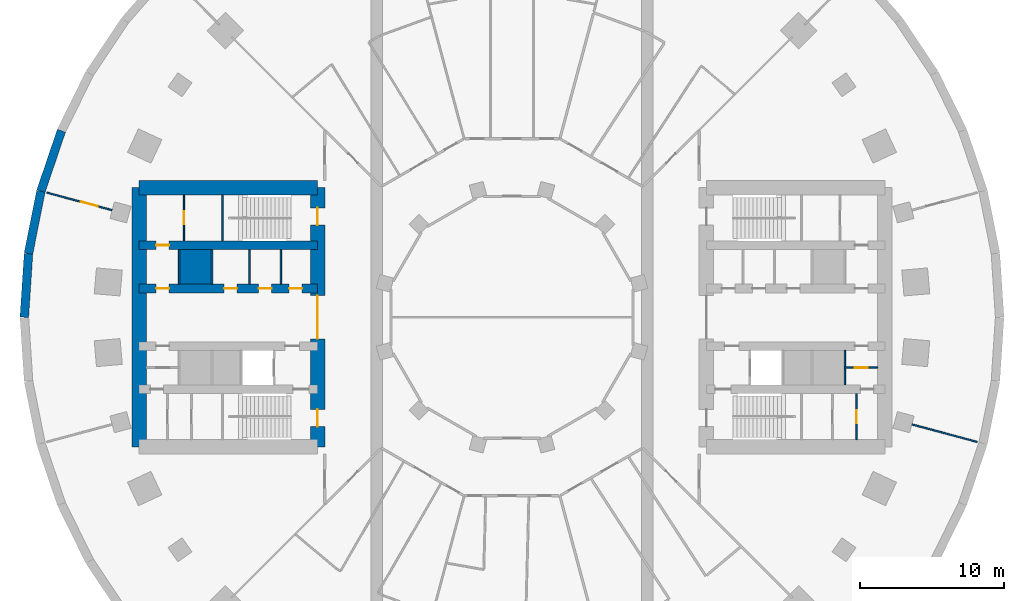
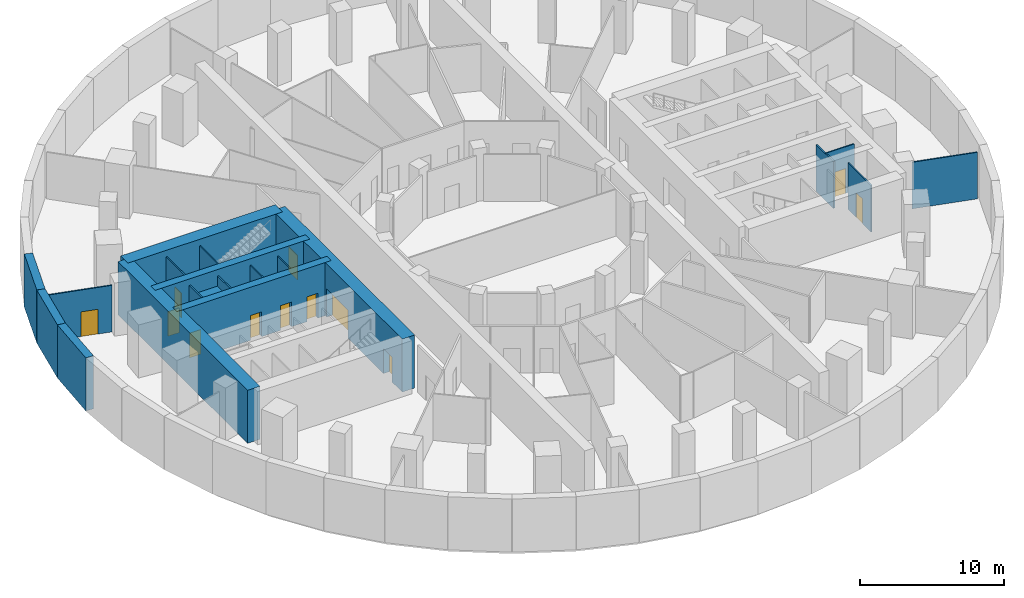
# One storey, part 4 of 8: 20 walls, 12 doors, 12 openings.
"""IFC4 building model written with IfcOpenShell, lengths in metres."""

import ifcopenshell
import ifcopenshell.guid

model = None  # the IFC model being written
_history = None  # IfcOwnerHistory: only IFC2X3 demands one
_inside = {}  # id of a spatial element -> (the spatial element, [elements in it])
_under = {}  # id of a project, library or spatial element -> (it, [spatial elements below it])
_declared = {}  # id of a project -> (the project, [libraries it declares])
_typed = {}  # id of a type object -> (the type object, [elements of that type])
_made_of = {}  # id of a material, layer set ... -> (it, [elements and type objects made of it])


def new_model(schema):
    """Start an empty IFC model of exactly this schema.

    Asked for "IFC4X3", IfcOpenShell would pick the latest addendum, in which some entities
    have other attributes; the version numbers below select the first issue.
    IFC2X3 requires an IfcOwnerHistory on every rooted entity: one is made here for all.
    """
    global model, _history
    if schema == "IFC4X3":
        model = ifcopenshell.file(schema_version=(4, 3, 0, 0))
    else:
        model = ifcopenshell.file(schema=schema)
    _inside.clear()
    _under.clear()
    _declared.clear()
    _typed.clear()
    _made_of.clear()
    _history = None
    if model.schema == "IFC2X3":
        org = make("IfcOrganization", Name="unknown")
        user = make(
            "IfcPersonAndOrganization",
            ThePerson=make("IfcPerson", FamilyName="unknown"),
            TheOrganization=org,
        )
        app = make(
            "IfcApplication",
            ApplicationDeveloper=org,
            Version="unknown",
            ApplicationFullName="unknown",
            ApplicationIdentifier="unknown",
        )
        _history = make(
            "IfcOwnerHistory",
            OwningUser=user,
            OwningApplication=app,
            ChangeAction="ADDED",
            CreationDate=0,
        )
    return model


def make(cls, **values):
    """One entity of the class cls with the attributes given. An attribute that is None is left unset."""
    return model.create_entity(
        cls, **{name: value for name, value in values.items() if value is not None}
    )


def rooted(cls, **values):
    """An entity with a GlobalId (a new one), such as an element, a storey or a relation."""
    return make(cls, GlobalId=ifcopenshell.guid.new(), OwnerHistory=_history, **values)


def si_unit(unit_type, name, prefix=None):
    """IfcSIUnit, for example si_unit("LENGTHUNIT", "METRE", prefix="MILLI")."""
    return make("IfcSIUnit", UnitType=unit_type, Prefix=prefix, Name=name)


def assignment(units):
    """IfcUnitAssignment: the units of a project."""
    return None if units is None else make("IfcUnitAssignment", Units=units)


def point(xyz):
    """IfcCartesianPoint."""
    return None if xyz is None else make("IfcCartesianPoint", Coordinates=xyz)


def direction(xyz):
    """IfcDirection."""
    return None if xyz is None else make("IfcDirection", DirectionRatios=xyz)


def frame(location, z_axis=None, x_axis=None):
    """IfcAxis2Placement3D, a coordinate frame: its origin and axes. An axis left out is left unset."""
    return make(
        "IfcAxis2Placement3D",
        Location=point(location),
        Axis=direction(z_axis),
        RefDirection=direction(x_axis),
    )


def frame_2d(location, x_axis=None):
    """IfcAxis2Placement2D, a coordinate frame in the plane: its origin and x axis."""
    return make(
        "IfcAxis2Placement2D", Location=point(location), RefDirection=direction(x_axis)
    )


def origin():
    """The frame at (0, 0, 0) with its axes left unset."""
    return frame((0.0, 0.0, 0.0))


def place(relative_to, where):
    """IfcLocalPlacement: puts the frame where relative to a parent placement (None: the world)."""
    return make(
        "IfcLocalPlacement", PlacementRelTo=relative_to, RelativePlacement=where
    )


def context(
    kind, dimensions, precision=None, world=None, true_north=None, identifier=None
):
    """IfcGeometricRepresentationContext, for example the 3D "Model" context."""
    return make(
        "IfcGeometricRepresentationContext",
        ContextIdentifier=identifier,
        ContextType=kind,
        CoordinateSpaceDimension=dimensions,
        Precision=precision,
        WorldCoordinateSystem=world,
        TrueNorth=true_north,
    )


def subcontext(parent, identifier, kind, view, scale=None):
    """IfcGeometricRepresentationSubContext, for example "Body" below "Model"."""
    return make(
        "IfcGeometricRepresentationSubContext",
        ContextIdentifier=identifier,
        ContextType=kind,
        ParentContext=parent,
        TargetScale=scale,
        TargetView=view,
    )


def project(units=None, contexts=None):
    """IfcProject with its units and contexts."""
    return rooted(
        "IfcProject",
        Name="project",
        RepresentationContexts=contexts,
        UnitsInContext=assignment(units),
    )


def spatial(cls, under=None, at=None, **own):
    """A site, building, storey or space (cls), placed at a placement, below another one or the project."""
    s = rooted(cls, ObjectPlacement=at, **own)
    if under is not None:
        _under.setdefault(under.id(), (under, []))[1].append(s)
    return s


def profile(cls, at=None, kind="AREA", **sizes):
    """A parametric profile (cls). Its sizes go by their IFC names, for example OverallWidth=200.0."""
    return make(cls, ProfileType=kind, Position=at, **sizes)


def rectangle(**sizes):
    """IfcRectangleProfileDef."""
    return profile("IfcRectangleProfileDef", **sizes)


def extrude(swept, where, along, depth):
    """IfcExtrudedAreaSolid: the profile swept, set in the frame where, extruded along a direction by depth."""
    return make(
        "IfcExtrudedAreaSolid",
        SweptArea=swept,
        Position=where,
        ExtrudedDirection=direction(along),
        Depth=depth,
    )


def shape(context_of_items, identifier, shape_type, items):
    """IfcShapeRepresentation: the items that make up one representation, for example the "Body"."""
    return make(
        "IfcShapeRepresentation",
        ContextOfItems=context_of_items,
        RepresentationIdentifier=identifier,
        RepresentationType=shape_type,
        Items=items,
    )


def material(Name=None, Category=None):
    """IfcMaterial."""
    return make("IfcMaterial", Name=Name, Category=Category)


def layer(
    of_material, thickness, ventilated=None, Name=None, Category=None, Priority=None
):
    """IfcMaterialLayer: one layer of a wall or slab, of a material (None: an air gap)."""
    return make(
        "IfcMaterialLayer",
        Material=of_material,
        LayerThickness=thickness,
        IsVentilated=ventilated,
        Name=Name,
        Category=Category,
        Priority=Priority,
    )


def layer_set(layers, Name=None):
    """IfcMaterialLayerSet."""
    return make("IfcMaterialLayerSet", MaterialLayers=layers, LayerSetName=Name)


def made_of(thing, what):
    """Note that an element or type object is made of a material, layer set ...; save() writes the relation."""
    if what is not None:
        _made_of.setdefault(what.id(), (what, []))[1].append(thing)
    return thing


def type_object(cls, material=None, **own):
    """A type object (cls), such as IfcWallType, which elements share."""
    return made_of(rooted(cls, **own), material)


def element(
    cls,
    number,
    at=None,
    inside=None,
    cuts=None,
    type_object=None,
    material=None,
    context=None,
    identifier="Body",
    shape_type=None,
    held_by="IfcProductDefinitionShape",
    body=None,
    shapes=None,
    **own,
):
    """One element of the class cls, such as IfcWall. Its Tag is "e" and its number.

    at: its placement. inside: the storey or other place that contains it. cuts: it is an
    opening in that element (IfcRelVoidsElement). A single representation is given by context,
    identifier, shape_type and body (its items); several are given by shapes. held_by: the class
    of the entity that holds the representations. save() writes the other relations.
    """
    e = rooted(cls, Tag="e%d" % number, ObjectPlacement=at, **own)
    if body is not None:
        shapes = [shape(context, identifier, shape_type, body)]
    if shapes is not None:
        e.Representation = make(held_by, Representations=shapes)
    if inside is not None:
        _inside.setdefault(inside.id(), (inside, []))[1].append(e)
    if cuts is not None:
        rooted(
            "IfcRelVoidsElement", RelatingBuildingElement=cuts, RelatedOpeningElement=e
        )
    if type_object is not None:
        _typed.setdefault(type_object.id(), (type_object, []))[1].append(e)
    return made_of(e, material)


def fill(opening, filler):
    """IfcRelFillsElement: the door or window that sits in an opening."""
    return rooted(
        "IfcRelFillsElement",
        RelatingOpeningElement=opening,
        RelatedBuildingElement=filler,
    )


def aggregate(whole, parts):
    """IfcRelAggregates: a whole, such as a stair, and the parts it consists of."""
    return rooted("IfcRelAggregates", RelatingObject=whole, RelatedObjects=parts)


def save(model, path):
    """Write the relations noted so far, then the file.

    IfcRelAggregates (storeys below a building ...), IfcRelContainedInSpatialStructure (elements
    in a storey), IfcRelDefinesByType, IfcRelAssociatesMaterial and IfcRelDeclares: one each for
    every whole, place, type object, material and project.
    """
    for whole, parts in _under.values():
        aggregate(whole, parts)
    for where, things in _inside.values():
        rooted(
            "IfcRelContainedInSpatialStructure",
            RelatedElements=things,
            RelatingStructure=where,
        )
    for kind, things in _typed.values():
        rooted("IfcRelDefinesByType", RelatedObjects=things, RelatingType=kind)
    for what, things in _made_of.values():
        rooted("IfcRelAssociatesMaterial", RelatedObjects=things, RelatingMaterial=what)
    for by, libraries in _declared.values():
        rooted("IfcRelDeclares", RelatingContext=by, RelatedDefinitions=libraries)
    model.write(path)


model = new_model("IFC4")

# Units and contexts
model_context = context("Model", 3, precision=1e-05, world=origin(), true_north=direction((0.0, 1.0)))
body_context = subcontext(model_context, "Body", "Model", "MODEL_VIEW")
ifc_project = project(units=[si_unit("LENGTHUNIT", "METRE"), si_unit("AREAUNIT", "SQUARE_METRE"), si_unit("VOLUMEUNIT", "CUBIC_METRE"), si_unit("PLANEANGLEUNIT", "RADIAN"), si_unit("MASSUNIT", "GRAM", prefix="KILO")], contexts=[model_context])

# Site, building, storey
site_placement = place(None, origin())
site = spatial("IfcSite", under=ifc_project, at=site_placement, CompositionType="ELEMENT")
building_placement = place(site_placement, origin())
building = spatial("IfcBuilding", under=site, at=building_placement, Name="Saqina Gate Tower", CompositionType="ELEMENT")
storey_placement = place(building_placement, frame((0.0, 0.0, -4.5)))
storey = spatial("IfcBuildingStorey", under=building, at=storey_placement, Name="B1", CompositionType="ELEMENT", Elevation=-4.5)

# Wall, opening, door
ifc_material_1 = material(Name="Gypsum board on steel studs", Category="steel")
ifc_layer_1 = layer(ifc_material_1, 0.10009765625)
ifc_layer_set_1 = layer_set([ifc_layer_1], Name="CORE PARTITION")
wall_type_1 = type_object("IfcWallType", Name="CORE PARTITION", PredefinedType="PARTITIONING", material=ifc_layer_set_1)
wall_1_placement = place(storey_placement, frame((23.1201171875, -3.5, 0.0), z_axis=(0.0, 0.0, 1.0), x_axis=(1.0, 0.0, 0.0)))
wall_1 = element("IfcWall", 1, at=wall_1_placement, inside=storey, type_object=wall_type_1, Name="B1-CP-E09", PredefinedType="PARTITIONING", context=body_context, shape_type="SweptSolid", body=[
    extrude(rectangle(XDim=2.27978515625, YDim=0.10009765625, at=frame_2d((1.139892578125, 0.0))), origin(), (0.0, 0.0, 1.0), 3.949951171875),
])
opening_1_placement = place(wall_1_placement, frame((0.68994140625, 0.0, 0.0)))
opening_1 = element("IfcOpeningElement", 2, at=opening_1_placement, cuts=wall_1, Name="Opening B1-D98", PredefinedType="OPENING", context=body_context, shape_type="SweptSolid", body=[
    extrude(rectangle(XDim=0.89990234375, YDim=2.10009765625, at=frame_2d((0.449951171875, 1.050048828125))), frame((0.0, 0.06201171875, 0.0), z_axis=(0.0, -1.0, 0.0), x_axis=(1.0, 0.0, 0.0)), (0.0, 0.0, 1.0), 0.1240234375),
])
ifc_material_2 = material(Name="Steel-framed fire door leaf, EI 60", Category="steel")
door_type_1 = type_object("IfcDoorType", Name="SERVICE ROOM DOOR 900", OperationType="SINGLE_SWING_LEFT", PredefinedType="DOOR", material=ifc_material_2)
door_1_placement = place(opening_1_placement, frame((0.89990234375, 0.0, 0.0), z_axis=(0.0, 0.0, 1.0), x_axis=(-1.0, 0.0, 0.0)))
door_1 = element("IfcDoor", 3, at=door_1_placement, inside=storey, type_object=door_type_1, Name="B1-CD-E09", OperationType="SINGLE_SWING_LEFT", OverallHeight=2.10009765625, OverallWidth=0.89990234375, PredefinedType="DOOR", context=body_context, shape_type="SweptSolid", body=[
    extrude(rectangle(XDim=0.89990234375, YDim=2.10009765625, at=frame_2d((0.449951171875, 1.050048828125))), frame((0.0, 0.02490234375, 0.0), z_axis=(0.0, -1.0, 0.0), x_axis=(1.0, 0.0, 0.0)), (0.0, 0.0, 1.0), 0.050048828125),
])
fill(opening_1, door_1)

wall_2_placement = place(storey_placement, frame((23.932861328125, -8.5, 0.0), z_axis=(0.0, 0.0, 1.0), x_axis=(0.0, 1.0, 0.0)))
wall_2 = element("IfcWall", 4, at=wall_2_placement, inside=storey, type_object=wall_type_1, Name="B1-CP-E14", PredefinedType="PARTITIONING", context=body_context, shape_type="SweptSolid", body=[
    extrude(rectangle(XDim=3.199951171875, YDim=0.10009765625, at=frame_2d((1.60009765625, 0.0))), origin(), (0.0, 0.0, 1.0), 3.949951171875),
])
opening_2_placement = place(wall_2_placement, frame((1.14990234375, 0.0, 0.0)))
opening_2 = element("IfcOpeningElement", 5, at=opening_2_placement, cuts=wall_2, Name="Opening B1-D99", PredefinedType="OPENING", context=body_context, shape_type="SweptSolid", body=[
    extrude(rectangle(XDim=0.89990234375, YDim=2.10009765625, at=frame_2d((0.449951171875, 1.050048828125))), frame((0.0, 0.06201171875, 0.0), z_axis=(0.0, -1.0, 0.0), x_axis=(1.0, 0.0, 0.0)), (0.0, 0.0, 1.0), 0.1240234375),
])
door_2_placement = place(opening_2_placement, origin())
door_2 = element("IfcDoor", 6, at=door_2_placement, inside=storey, type_object=door_type_1, Name="B1-CD-E10", OperationType="SINGLE_SWING_LEFT", OverallHeight=2.10009765625, OverallWidth=0.89990234375, PredefinedType="DOOR", context=body_context, shape_type="SweptSolid", body=[
    extrude(rectangle(XDim=0.89990234375, YDim=2.10009765625, at=frame_2d((0.449951171875, 1.050048828125))), frame((0.0, 0.02490234375, 0.0), z_axis=(0.0, -1.0, 0.0), x_axis=(1.0, 0.0, 0.0)), (0.0, 0.0, 1.0), 0.050048828125),
])
fill(opening_2, door_2)

# Walls
for number, where, z_axis, x_axis, name in (
    (7, (-16.052001953125, 2.300048828125, 0.0), (0.0, 0.0, 1.0), (0.0, 1.0, 0.0), "B1-CP-W01"),
    (8, (-18.24072265625, 2.300048828125, 0.0), (0.0, 0.0, 1.0), (0.0, 1.0, 0.0), "B1-CP-W02"),
):
    element("IfcWall", number, at=place(storey_placement, frame(where, z_axis=z_axis, x_axis=x_axis)), inside=storey, type_object=wall_type_1, Name=name, PredefinedType="PARTITIONING", context=body_context, shape_type="SweptSolid", body=[
        extrude(rectangle(XDim=2.39990234375, YDim=0.10009765625, at=frame_2d((1.199951171875, 0.0))), origin(), (0.0, 0.0, 1.0), 3.949951171875),
    ])

# Wall, opening, door
wall_3_placement = place(storey_placement, frame((-22.780029296875, 5.300048828125, 0.0), z_axis=(0.0, 0.0, 1.0), x_axis=(0.0, 1.0, 0.0)))
wall_3 = element("IfcWall", 9, at=wall_3_placement, inside=storey, type_object=wall_type_1, Name="B1-CP-W11", PredefinedType="PARTITIONING", context=body_context, shape_type="SweptSolid", body=[
    extrude(rectangle(XDim=3.199951171875, YDim=0.10009765625, at=frame_2d((1.60009765625, 0.0))), origin(), (0.0, 0.0, 1.0), 3.949951171875),
])
opening_3_placement = place(wall_3_placement, frame((1.14990234375, 0.0, 0.0)))
opening_3 = element("IfcOpeningElement", 10, at=opening_3_placement, cuts=wall_3, Name="Opening B1-D112", PredefinedType="OPENING", context=body_context, shape_type="SweptSolid", body=[
    extrude(rectangle(XDim=0.89990234375, YDim=2.10009765625, at=frame_2d((0.449951171875, 1.050048828125))), frame((0.0, 0.06201171875, 0.0), z_axis=(0.0, -1.0, 0.0), x_axis=(1.0, 0.0, 0.0)), (0.0, 0.0, 1.0), 0.1240234375),
])
door_3_placement = place(opening_3_placement, frame((0.89990234375, 0.0, 0.0), z_axis=(0.0, 0.0, 1.0), x_axis=(-1.0, 0.0, 0.0)))
door_3 = element("IfcDoor", 11, at=door_3_placement, inside=storey, type_object=door_type_1, Name="B1-CD-W23", OperationType="SINGLE_SWING_RIGHT", OverallHeight=2.10009765625, OverallWidth=0.89990234375, PredefinedType="DOOR", context=body_context, shape_type="SweptSolid", body=[
    extrude(rectangle(XDim=0.89990234375, YDim=2.10009765625, at=frame_2d((0.449951171875, 1.050048828125))), frame((0.0, 0.02490234375, 0.0), z_axis=(0.0, -1.0, 0.0), x_axis=(1.0, 0.0, 0.0)), (0.0, 0.0, 1.0), 0.050048828125),
])
fill(opening_3, door_3)

# Walls
ifc_material_3 = material(Name="Concrete C40/50", Category="concrete")
ifc_layer_2 = layer(ifc_material_3, 2.39990234375)
ifc_layer_set_2 = layer_set([ifc_layer_2], Name="Concrete C40/50")
wall_type_2 = type_object("IfcWallType", Name="LIFT PIT PEDESTAL", PredefinedType="SOLIDWALL", material=ifc_layer_set_2)
wall_4_placement = place(storey_placement, frame((-20.89990234375, 3.5, 0.0), z_axis=(0.0, 0.0, 1.0), x_axis=(-1.0, 0.0, 0.0)))
element("IfcWall", 12, at=wall_4_placement, inside=storey, type_object=wall_type_2, Name="LIFT PIT BASE LR4", PredefinedType="SOLIDWALL", context=body_context, shape_type="SweptSolid", body=[
    extrude(rectangle(XDim=2.16015625, YDim=2.39990234375, at=frame_2d((1.080078125, 0.0))), origin(), (0.0, 0.0, 1.0), 3.10009765625),
])
ifc_material_4 = material(Name="Autoclaved aerated concrete block", Category="concrete")
ifc_layer_3 = layer(ifc_material_4, 0.1201171875)
ifc_layer_set_3 = layer_set([ifc_layer_3], Name="SHAFT PARTITION")
wall_type_3 = type_object("IfcWallType", Name="SHAFT PARTITION", PredefinedType="PARTITIONING", material=ifc_layer_set_3)
for number, where, z_axis, x_axis, name in (
    (13, (23.1201171875, -4.699951171875, 0.0), (0.0, 0.0, 1.0), (0.0, 1.0, 0.0), "B1-CP-E08"),
    (14, (-20.840087890625, 2.300048828125, 0.0), (0.0, 0.0, 1.0), (0.0, 1.0, 0.0), "B1-CP-W03"),
    (15, (-23.1201171875, 2.300048828125, 0.0), (0.0, 0.0, 1.0), (0.0, 1.0, 0.0), "B1-CP-W04"),
):
    element("IfcWall", number, at=place(storey_placement, frame(where, z_axis=z_axis, x_axis=x_axis)), inside=storey, type_object=wall_type_3, Name=name, PredefinedType="PARTITIONING", context=body_context, shape_type="SweptSolid", body=[
        extrude(rectangle(XDim=2.39990234375, YDim=0.1201171875, at=frame_2d((1.199951171875, 0.0))), origin(), (0.0, 0.0, 1.0), 3.949951171875),
    ])

# Wall, opening, door
ifc_material_5 = material(Name="Gypsum board on steel studs, 100 mm", Category="steel")
ifc_layer_4 = layer(ifc_material_5, 0.10009765625)
ifc_layer_set_4 = layer_set([ifc_layer_4], Name="SPECIAL PARTITION 100")
wall_type_4 = type_object("IfcWallType", Name="SPECIAL PARTITION 100", PredefinedType="PARTITIONING", material=ifc_layer_set_4)
wall_5_placement = place(storey_placement, frame((-32.30810546875, 8.656982421875, 0.0), z_axis=(0.0, 0.0, 1.0), x_axis=(0.965934336634, -0.258787281972, 0.0)))
wall_5 = element("IfcWall", 16, at=wall_5_placement, inside=storey, type_object=wall_type_4, Name="PARTITION 027", PredefinedType="PARTITIONING", context=body_context, shape_type="SweptSolid", body=[
    extrude(rectangle(XDim=4.687744140625, YDim=0.10009765625, at=frame_2d((2.34375, 0.0))), origin(), (0.0, 0.0, 1.0), 3.949951171875),
])
opening_4_placement = place(wall_5_placement, frame((2.458251953125, 0.0, 0.0)))
opening_4 = element("IfcOpeningElement", 17, at=opening_4_placement, cuts=wall_5, Name="Opening B1-D14", PredefinedType="OPENING", context=body_context, shape_type="SweptSolid", body=[
    extrude(rectangle(XDim=1.199951171875, YDim=2.10009765625, at=frame_2d((0.60009765625, 1.050048828125))), frame((0.0, 0.06201171875, 0.0), z_axis=(0.0, -1.0, 0.0), x_axis=(1.0, 0.0, 0.0)), (0.0, 0.0, 1.0), 0.1240234375),
])
ifc_material_6 = material(Name="Timber door leaf", Category="wood")
door_type_2 = type_object("IfcDoorType", Name="SPECIAL DOOR 1200 TIMBER", OperationType="SINGLE_SWING_LEFT", PredefinedType="DOOR", material=ifc_material_6)
door_4_placement = place(opening_4_placement, origin())
door_4 = element("IfcDoor", 18, at=door_4_placement, inside=storey, type_object=door_type_2, Name="DOOR B1-D14", OperationType="SINGLE_SWING_RIGHT", OverallHeight=2.10009765625, OverallWidth=1.199951171875, PredefinedType="DOOR", context=body_context, shape_type="SweptSolid", body=[
    extrude(rectangle(XDim=1.199951171875, YDim=2.10009765625, at=frame_2d((0.60009765625, 1.050048828125))), frame((0.0, 0.02490234375, 0.0), z_axis=(0.0, -1.0, 0.0), x_axis=(1.0, 0.0, 0.0)), (0.0, 0.0, 1.0), 0.050048828125),
])
fill(opening_4, door_4)

# Walls
wall_6_placement = place(storey_placement, frame((27.780029296875, -7.44384765625, 0.0), z_axis=(0.0, 0.0, 1.0), x_axis=(0.965934336634, -0.258787281972, 0.0)))
element("IfcWall", 19, at=wall_6_placement, inside=storey, type_object=wall_type_4, Name="PARTITION 028", PredefinedType="PARTITIONING", context=body_context, shape_type="SweptSolid", body=[
    extrude(rectangle(XDim=4.687744140625, YDim=0.10009765625, at=frame_2d((2.34375, 0.0))), origin(), (0.0, 0.0, 1.0), 3.949951171875),
])
ifc_material_7 = material(Name="Autoclaved aerated concrete block", Category="concrete")
ifc_layer_5 = layer(ifc_material_7, 0.10009765625)
ifc_layer_set_5 = layer_set([ifc_layer_5], Name="STAIR ENCLOSURE WALL")
wall_type_5 = type_object("IfcWallType", Name="STAIR ENCLOSURE WALL", PredefinedType="PARTITIONING", material=ifc_layer_set_5)
wall_7_placement = place(storey_placement, frame((-20.110107421875, 5.300048828125, 0.0), z_axis=(0.0, 0.0, 1.0), x_axis=(0.0, 1.0, 0.0)))
element("IfcWall", 20, at=wall_7_placement, inside=storey, type_object=wall_type_5, Name="B1-CP-W10", PredefinedType="PARTITIONING", context=body_context, shape_type="SweptSolid", body=[
    extrude(rectangle(XDim=3.199951171875, YDim=0.10009765625, at=frame_2d((1.60009765625, 0.0))), origin(), (0.0, 0.0, 1.0), 3.949951171875),
])

# Wall, opening, door
ifc_material_8 = material(Name="Concrete C70/85", Category="concrete")
ifc_layer_6 = layer(ifc_material_8, 0.60009765625)
ifc_layer_set_6 = layer_set([ifc_layer_6], Name="Concrete C70/85")
wall_type_6 = type_object("IfcWallType", Name="STR-CORE WALL-P-I", PredefinedType="SHEAR", material=ifc_layer_set_6)
wall_8_placement = place(storey_placement, frame((-13.5, 5.0, 0.0), z_axis=(0.0, 0.0, 1.0), x_axis=(-1.0, 0.0, 0.0)))
wall_8 = element("IfcWall", 21, at=wall_8_placement, inside=storey, type_object=wall_type_6, Name="CORE WALL B1 W-X1", PredefinedType="SHEAR", context=body_context, shape_type="SweptSolid", body=[
    extrude(rectangle(XDim=12.39990234375, YDim=0.60009765625, at=frame_2d((6.199951171875, 0.0))), origin(), (0.0, 0.0, 1.0), 4.5),
])
opening_5_placement = place(wall_8_placement, frame((10.31005859375, 0.0, 0.0)))
opening_5 = element("IfcOpeningElement", 22, at=opening_5_placement, cuts=wall_8, Name="Opening B1-D113", PredefinedType="OPENING", context=body_context, shape_type="SweptSolid", body=[
    extrude(rectangle(XDim=0.89990234375, YDim=2.10009765625, at=frame_2d((0.449951171875, 1.050048828125))), frame((0.0, 0.31201171875, 0.0), z_axis=(0.0, -1.0, 0.0), x_axis=(1.0, 0.0, 0.0)), (0.0, 0.0, 1.0), 0.6240234375),
])
door_5_placement = place(opening_5_placement, frame((0.89990234375, 0.0, 0.0), z_axis=(0.0, 0.0, 1.0), x_axis=(-1.0, 0.0, 0.0)))
door_5 = element("IfcDoor", 23, at=door_5_placement, inside=storey, type_object=door_type_1, Name="B1-CD-W24", OperationType="SINGLE_SWING_LEFT", OverallHeight=2.10009765625, OverallWidth=0.89990234375, PredefinedType="DOOR", context=body_context, shape_type="SweptSolid", body=[
    extrude(rectangle(XDim=0.89990234375, YDim=2.10009765625, at=frame_2d((0.449951171875, 1.050048828125))), frame((0.0, 0.02490234375, 0.0), z_axis=(0.0, -1.0, 0.0), x_axis=(1.0, 0.0, 0.0)), (0.0, 0.0, 1.0), 0.050048828125),
])
fill(opening_5, door_5)

# Wall, openings, doors
wall_9_placement = place(storey_placement, frame((-13.5, 2.0, 0.0), z_axis=(0.0, 0.0, 1.0), x_axis=(-1.0, 0.0, 0.0)))
wall_9 = element("IfcWall", 24, at=wall_9_placement, inside=storey, type_object=wall_type_6, Name="CORE WALL B1 W-L1", PredefinedType="SHEAR", context=body_context, shape_type="SweptSolid", body=[
    extrude(rectangle(XDim=12.39990234375, YDim=0.60009765625, at=frame_2d((6.199951171875, 0.0))), origin(), (0.0, 0.0, 1.0), 4.5),
])
opening_6_placement = place(wall_9_placement, frame((1.075927734375, 0.0, 0.0)))
opening_6 = element("IfcOpeningElement", 25, at=opening_6_placement, cuts=wall_9, Name="Opening B1-D106", PredefinedType="OPENING", context=body_context, shape_type="SweptSolid", body=[
    extrude(rectangle(XDim=0.89990234375, YDim=2.10009765625, at=frame_2d((0.449951171875, 1.050048828125))), frame((0.0, 0.31201171875, 0.0), z_axis=(0.0, -1.0, 0.0), x_axis=(1.0, 0.0, 0.0)), (0.0, 0.0, 1.0), 0.6240234375),
])
opening_7_placement = place(wall_9_placement, frame((3.1962890625, 0.0, 0.0)))
opening_7 = element("IfcOpeningElement", 26, at=opening_7_placement, cuts=wall_9, Name="Opening B1-D107", PredefinedType="OPENING", context=body_context, shape_type="SweptSolid", body=[
    extrude(rectangle(XDim=0.89990234375, YDim=2.10009765625, at=frame_2d((0.449951171875, 1.050048828125))), frame((0.0, 0.31201171875, 0.0), z_axis=(0.0, -1.0, 0.0), x_axis=(1.0, 0.0, 0.0)), (0.0, 0.0, 1.0), 0.6240234375),
])
opening_8_placement = place(wall_9_placement, frame((5.59033203125, 0.0, 0.0)))
opening_8 = element("IfcOpeningElement", 27, at=opening_8_placement, cuts=wall_9, Name="Opening B1-D108", PredefinedType="OPENING", context=body_context, shape_type="SweptSolid", body=[
    extrude(rectangle(XDim=0.89990234375, YDim=2.10009765625, at=frame_2d((0.449951171875, 1.050048828125))), frame((0.0, 0.31201171875, 0.0), z_axis=(0.0, -1.0, 0.0), x_axis=(1.0, 0.0, 0.0)), (0.0, 0.0, 1.0), 0.6240234375),
])
opening_9_placement = place(wall_9_placement, frame((10.31005859375, 0.0, 0.0)))
opening_9 = element("IfcOpeningElement", 28, at=opening_9_placement, cuts=wall_9, Name="Opening B1-D109", PredefinedType="OPENING", context=body_context, shape_type="SweptSolid", body=[
    extrude(rectangle(XDim=0.89990234375, YDim=2.10009765625, at=frame_2d((0.449951171875, 1.050048828125))), frame((0.0, 0.31201171875, 0.0), z_axis=(0.0, -1.0, 0.0), x_axis=(1.0, 0.0, 0.0)), (0.0, 0.0, 1.0), 0.6240234375),
])
door_6_placement = place(opening_6_placement, frame((0.89990234375, 0.0, 0.0), z_axis=(0.0, 0.0, 1.0), x_axis=(-1.0, 0.0, 0.0)))
door_6 = element("IfcDoor", 29, at=door_6_placement, inside=storey, type_object=door_type_1, Name="B1-CD-W17", OperationType="SINGLE_SWING_LEFT", OverallHeight=2.10009765625, OverallWidth=0.89990234375, PredefinedType="DOOR", context=body_context, shape_type="SweptSolid", body=[
    extrude(rectangle(XDim=0.89990234375, YDim=2.10009765625, at=frame_2d((0.449951171875, 1.050048828125))), frame((0.0, 0.02490234375, 0.0), z_axis=(0.0, -1.0, 0.0), x_axis=(1.0, 0.0, 0.0)), (0.0, 0.0, 1.0), 0.050048828125),
])
fill(opening_6, door_6)
door_7_placement = place(opening_7_placement, frame((0.89990234375, 0.0, 0.0), z_axis=(0.0, 0.0, 1.0), x_axis=(-1.0, 0.0, 0.0)))
door_7 = element("IfcDoor", 30, at=door_7_placement, inside=storey, type_object=door_type_1, Name="B1-CD-W18", OperationType="SINGLE_SWING_RIGHT", OverallHeight=2.10009765625, OverallWidth=0.89990234375, PredefinedType="DOOR", context=body_context, shape_type="SweptSolid", body=[
    extrude(rectangle(XDim=0.89990234375, YDim=2.10009765625, at=frame_2d((0.449951171875, 1.050048828125))), frame((0.0, 0.02490234375, 0.0), z_axis=(0.0, -1.0, 0.0), x_axis=(1.0, 0.0, 0.0)), (0.0, 0.0, 1.0), 0.050048828125),
])
fill(opening_7, door_7)
door_8_placement = place(opening_8_placement, frame((0.89990234375, 0.0, 0.0), z_axis=(0.0, 0.0, 1.0), x_axis=(-1.0, 0.0, 0.0)))
door_8 = element("IfcDoor", 31, at=door_8_placement, inside=storey, type_object=door_type_1, Name="B1-CD-W19", OperationType="SINGLE_SWING_RIGHT", OverallHeight=2.10009765625, OverallWidth=0.89990234375, PredefinedType="DOOR", context=body_context, shape_type="SweptSolid", body=[
    extrude(rectangle(XDim=0.89990234375, YDim=2.10009765625, at=frame_2d((0.449951171875, 1.050048828125))), frame((0.0, 0.02490234375, 0.0), z_axis=(0.0, -1.0, 0.0), x_axis=(1.0, 0.0, 0.0)), (0.0, 0.0, 1.0), 0.050048828125),
])
fill(opening_8, door_8)
door_9_placement = place(opening_9_placement, frame((0.89990234375, 0.0, 0.0), z_axis=(0.0, 0.0, 1.0), x_axis=(-1.0, 0.0, 0.0)))
door_9 = element("IfcDoor", 32, at=door_9_placement, inside=storey, type_object=door_type_1, Name="B1-CD-W20", OperationType="SINGLE_SWING_LEFT", OverallHeight=2.10009765625, OverallWidth=0.89990234375, PredefinedType="DOOR", context=body_context, shape_type="SweptSolid", body=[
    extrude(rectangle(XDim=0.89990234375, YDim=2.10009765625, at=frame_2d((0.449951171875, 1.050048828125))), frame((0.0, 0.02490234375, 0.0), z_axis=(0.0, -1.0, 0.0), x_axis=(1.0, 0.0, 0.0)), (0.0, 0.0, 1.0), 0.050048828125),
])
fill(opening_9, door_9)

ifc_material_9 = material(Name="Concrete C70/85", Category="concrete")
ifc_layer_7 = layer(ifc_material_9, 1.0)
ifc_layer_set_7 = layer_set([ifc_layer_7], Name="Concrete C70/85")
wall_type_7 = type_object("IfcWallType", Name="STR-CORE WALL-P-O", PredefinedType="SHEAR", material=ifc_layer_set_7)
wall_10_placement = place(storey_placement, frame((-13.5, -9.0, 0.0), z_axis=(0.0, 0.0, 1.0), x_axis=(0.0, 1.0, 0.0)))
wall_10 = element("IfcWall", 33, at=wall_10_placement, inside=storey, type_object=wall_type_7, Name="CORE WALL B1 W-W1", PredefinedType="SHEAR", context=body_context, shape_type="SweptSolid", body=[
    extrude(rectangle(XDim=18.0, YDim=1.0, at=frame_2d((9.0, 0.0))), origin(), (0.0, 0.0, 1.0), 4.5),
])
opening_10_placement = place(wall_10_placement, frame((15.39990234375, 0.0, 0.0)))
opening_10 = element("IfcOpeningElement", 34, at=opening_10_placement, cuts=wall_10, Name="Opening B1-D119", PredefinedType="OPENING", context=body_context, shape_type="SweptSolid", body=[
    extrude(rectangle(XDim=1.199951171875, YDim=2.10009765625, at=frame_2d((0.60009765625, 1.050048828125))), frame((0.0, 0.511962890625, 0.0), z_axis=(0.0, -1.0, 0.0), x_axis=(1.0, 0.0, 0.0)), (0.0, 0.0, 1.0), 1.02392578125),
])
opening_11_placement = place(wall_10_placement, frame((1.39990234375, 0.0, 0.0)))
opening_11 = element("IfcOpeningElement", 35, at=opening_11_placement, cuts=wall_10, Name="Opening B1-D120", PredefinedType="OPENING", context=body_context, shape_type="SweptSolid", body=[
    extrude(rectangle(XDim=1.199951171875, YDim=2.10009765625, at=frame_2d((0.60009765625, 1.050048828125))), frame((0.0, 0.511962890625, 0.0), z_axis=(0.0, -1.0, 0.0), x_axis=(1.0, 0.0, 0.0)), (0.0, 0.0, 1.0), 1.02392578125),
])
opening_12_placement = place(wall_10_placement, frame((7.5, 0.0, 0.0)))
opening_12 = element("IfcOpeningElement", 36, at=opening_12_placement, cuts=wall_10, Name="Opening B1-D121", PredefinedType="OPENING", context=body_context, shape_type="SweptSolid", body=[
    extrude(rectangle(XDim=3.0, YDim=2.39990234375, at=frame_2d((1.5, 1.199951171875))), frame((0.0, 0.511962890625, 0.0), z_axis=(0.0, -1.0, 0.0), x_axis=(1.0, 0.0, 0.0)), (0.0, 0.0, 1.0), 1.02392578125),
])
ifc_material_10 = material(Name="Steel", Category="steel")
door_type_3 = type_object("IfcDoorType", Name="FIRE DOOR EI 60", OperationType="SINGLE_SWING_LEFT", PredefinedType="DOOR", material=ifc_material_10)
door_10_placement = place(opening_10_placement, origin())
door_10 = element("IfcDoor", 37, at=door_10_placement, inside=storey, type_object=door_type_3, Name="B1-CD-W30", OperationType="SINGLE_SWING_RIGHT", OverallHeight=2.10009765625, OverallWidth=1.199951171875, PredefinedType="DOOR", context=body_context, shape_type="SweptSolid", body=[
    extrude(rectangle(XDim=1.199951171875, YDim=2.10009765625, at=frame_2d((0.60009765625, 1.050048828125))), frame((0.0, 0.02490234375, 0.0), z_axis=(0.0, -1.0, 0.0), x_axis=(1.0, 0.0, 0.0)), (0.0, 0.0, 1.0), 0.050048828125),
])
fill(opening_10, door_10)
door_11_placement = place(opening_11_placement, origin())
door_11 = element("IfcDoor", 38, at=door_11_placement, inside=storey, type_object=door_type_3, Name="B1-CD-W31", OperationType="SINGLE_SWING_LEFT", OverallHeight=2.10009765625, OverallWidth=1.199951171875, PredefinedType="DOOR", context=body_context, shape_type="SweptSolid", body=[
    extrude(rectangle(XDim=1.199951171875, YDim=2.10009765625, at=frame_2d((0.60009765625, 1.050048828125))), frame((0.0, 0.02490234375, 0.0), z_axis=(0.0, -1.0, 0.0), x_axis=(1.0, 0.0, 0.0)), (0.0, 0.0, 1.0), 0.050048828125),
])
fill(opening_11, door_11)
ifc_material_11 = material(Name="Steel and fire-resisting glass", Category="steel")
door_type_4 = type_object("IfcDoorType", Name="LOBBY SCREEN DOOR", OperationType="DOUBLE_DOOR_SLIDING", PredefinedType="DOOR", material=ifc_material_11)
door_12_placement = place(opening_12_placement, origin())
door_12 = element("IfcDoor", 39, at=door_12_placement, inside=storey, type_object=door_type_4, Name="B1-CD-W32", OperationType="DOUBLE_DOOR_SLIDING", OverallHeight=2.39990234375, OverallWidth=3.0, PredefinedType="DOOR", context=body_context, shape_type="SweptSolid", body=[
    extrude(rectangle(XDim=3.0, YDim=2.39990234375, at=frame_2d((1.5, 1.199951171875))), frame((0.0, 0.02490234375, 0.0), z_axis=(0.0, -1.0, 0.0), x_axis=(1.0, 0.0, 0.0)), (0.0, 0.0, 1.0), 0.050048828125),
])
fill(opening_12, door_12)

# Walls
wall_11_placement = place(storey_placement, frame((-25.89990234375, -9.0, 0.0), z_axis=(0.0, 0.0, 1.0), x_axis=(0.0, 1.0, 0.0)))
element("IfcWall", 40, at=wall_11_placement, inside=storey, type_object=wall_type_7, Name="CORE WALL B1 W-W2", PredefinedType="SHEAR", context=body_context, shape_type="SweptSolid", body=[
    extrude(rectangle(XDim=18.0, YDim=1.0, at=frame_2d((9.0, 0.0))), origin(), (0.0, 0.0, 1.0), 4.5),
])
wall_12_placement = place(storey_placement, frame((-13.5, 9.0, 0.0), z_axis=(0.0, 0.0, 1.0), x_axis=(-1.0, 0.0, 0.0)))
element("IfcWall", 41, at=wall_12_placement, inside=storey, type_object=wall_type_7, Name="CORE WALL B1 W-NE", PredefinedType="SHEAR", context=body_context, shape_type="SweptSolid", body=[
    extrude(rectangle(XDim=12.39990234375, YDim=1.0, at=frame_2d((6.199951171875, 0.0))), origin(), (0.0, 0.0, 1.0), 4.5),
])
ifc_material_12 = material(Name="Concrete C40/50", Category="concrete")
ifc_layer_8 = layer(ifc_material_12, 0.60009765625)
ifc_layer_set_8 = layer_set([ifc_layer_8], Name="Concrete C40/50")
wall_type_8 = type_object("IfcWallType", Name="STR-WALL-RETAINING", PredefinedType="SOLIDWALL", material=ifc_layer_set_8)
wall_13_placement = place(storey_placement, frame((-31.294189453125, 12.96240234375, 0.0), z_axis=(0.0, 0.0, 1.0), x_axis=(-0.321413701295, -0.946938874807, 0.0)))
element("IfcWall", 42, at=wall_13_placement, inside=storey, type_object=wall_type_8, Name="BASEMENT RETAINING WALL 22", PredefinedType="SOLIDWALL", context=body_context, shape_type="SweptSolid", body=[
    extrude(rectangle(XDim=4.4306640625, YDim=0.60009765625, at=frame_2d((2.21533203125, 0.0))), origin(), (0.0, 0.0, 1.0), 4.5),
])
wall_14_placement = place(storey_placement, frame((-32.71826171875, 8.766845703125, 0.0), z_axis=(0.0, 0.0, 1.0), x_axis=(-0.195109395659, -0.980781486227, 0.0)))
element("IfcWall", 43, at=wall_14_placement, inside=storey, type_object=wall_type_8, Name="BASEMENT RETAINING WALL 23", PredefinedType="SOLIDWALL", context=body_context, shape_type="SweptSolid", body=[
    extrude(rectangle(XDim=4.430908203125, YDim=0.60009765625, at=frame_2d((2.21533203125, 0.0))), origin(), (0.0, 0.0, 1.0), 4.5),
])
wall_15_placement = place(storey_placement, frame((-33.582763671875, 4.421142578125, 0.0), z_axis=(0.0, 0.0, 1.0), x_axis=(-0.065407158232, -0.997858659156, 0.0)))
element("IfcWall", 44, at=wall_15_placement, inside=storey, type_object=wall_type_8, Name="BASEMENT RETAINING WALL 24", PredefinedType="SOLIDWALL", context=body_context, shape_type="SweptSolid", body=[
    extrude(rectangle(XDim=4.4306640625, YDim=0.60009765625, at=frame_2d((2.21533203125, 0.0))), origin(), (0.0, 0.0, 1.0), 4.5),
])

save(model, "model.ifc")
